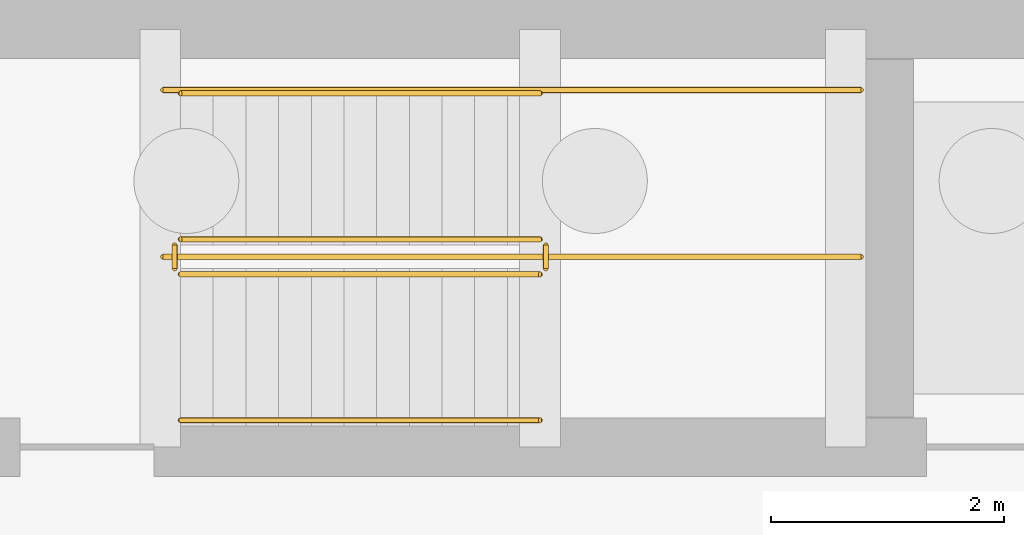
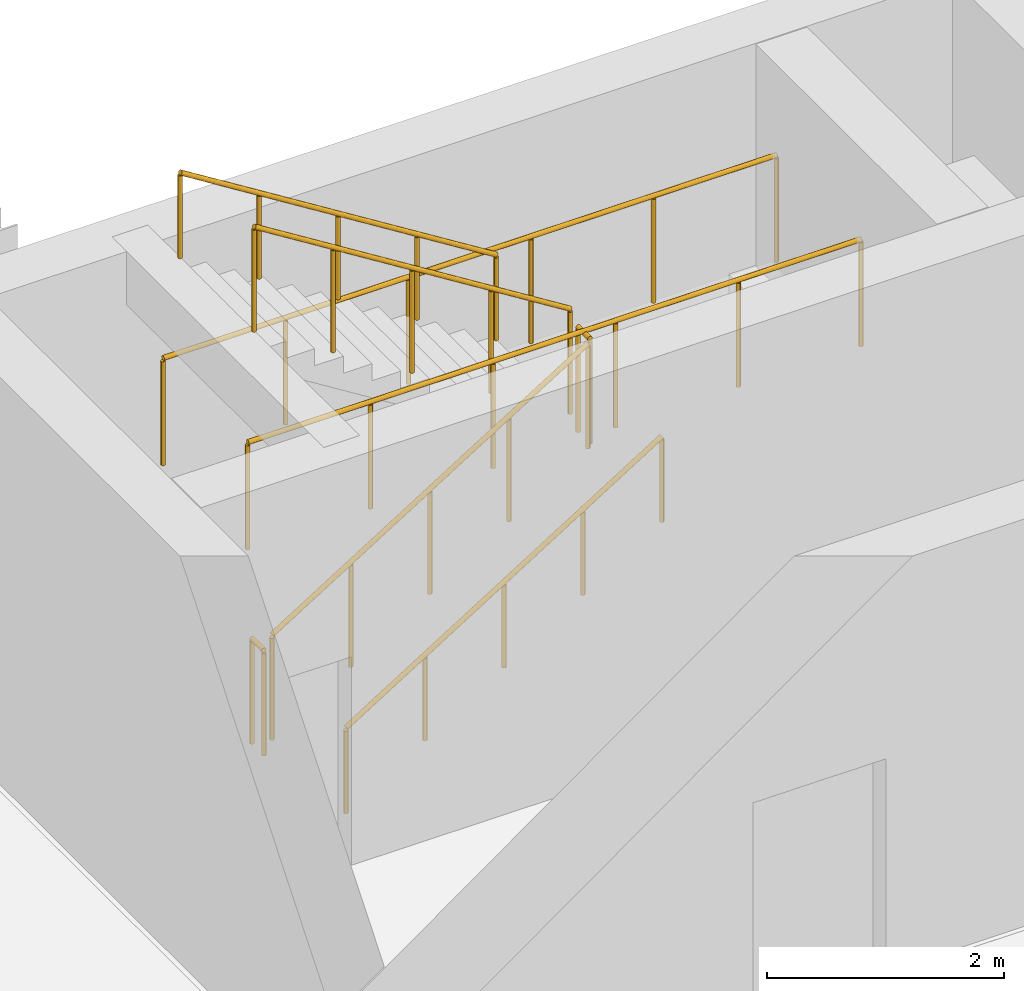
# One storey, part 29 of 33: 8 railings.
"""IFC4 building model written with IfcOpenShell, lengths in metres."""

from ifc_helpers import new_model, si_unit, direction, frame, origin, origin_2d, place, context, subcontext, project, spatial, circle, extrude, material, type_object, element, save


model = new_model("IFC4")

# Units and contexts
model_context = context("Model", 3, precision=1e-05, world=origin(), true_north=direction((0.0, 1.0)))
body_context = subcontext(model_context, "Body", "Model", "MODEL_VIEW")
ifc_project = project(units=[si_unit("LENGTHUNIT", "METRE"), si_unit("AREAUNIT", "SQUARE_METRE"), si_unit("VOLUMEUNIT", "CUBIC_METRE"), si_unit("PLANEANGLEUNIT", "RADIAN"), si_unit("MASSUNIT", "GRAM", prefix="KILO")], contexts=[model_context])

# Site, building, storey
site_placement = place(None, origin())
site = spatial("IfcSite", under=ifc_project, at=site_placement, CompositionType="ELEMENT")
building_placement = place(site_placement, origin())
building = spatial("IfcBuilding", under=site, at=building_placement, Name="Mithqara Police Headquarters", CompositionType="ELEMENT")
storey_placement = place(building_placement, frame((0.0, 0.0, -4.199951171875)))
storey = spatial("IfcBuildingStorey", under=building, at=storey_placement, Name="B1", CompositionType="ELEMENT", Elevation=-4.199951171875)

# Railings
ifc_material = material(Name="Steel S355JR", Category="steel")
railing_type_1 = type_object("IfcRailingType", Name="HANDRAIL 920", PredefinedType="HANDRAIL", material=ifc_material)
railing_1_placement = place(storey_placement, frame((81.75, 32.050048828125, 0.175048828125)))
element("IfcRailing", 1, at=railing_1_placement, inside=storey, type_object=railing_type_1, Name="B1 ST-07 stair handrail 1", PredefinedType="HANDRAIL", context=body_context, shape_type="SweptSolid", body=[
    extrude(circle(Radius=0.02392578125, at=origin_2d()), frame((0.0, 0.0, 0.8759765625), z_axis=(0.848028513186, 0.0, 0.529950602248), x_axis=(0.0, 1.0, 0.0)), (0.0, 0.0, 1.0), 3.632080078125),
    extrude(circle(Radius=0.02099609375, at=origin_2d()), origin(), (0.0, 0.0, 1.0), 0.851806640625),
    extrude(circle(Radius=0.02099609375, at=origin_2d()), frame((0.77001953125, 0.0, 0.481201171875)), (0.0, 0.0, 1.0), 0.851806640625),
    extrude(circle(Radius=0.02099609375, at=origin_2d()), frame((1.5400390625, 0.0, 0.96240234375)), (0.0, 0.0, 1.0), 0.851806640625),
    extrude(circle(Radius=0.02099609375, at=origin_2d()), frame((2.31005859375, 0.0, 1.443603515625)), (0.0, 0.0, 1.0), 0.851806640625),
    extrude(circle(Radius=0.02099609375, at=origin_2d()), frame((3.080078125, 0.0, 1.9248046875)), (0.0, 0.0, 1.0), 0.851806640625),
])
railing_2_placement = place(storey_placement, frame((84.830078125, 34.85009765625, 2.27490234375)))
element("IfcRailing", 2, at=railing_2_placement, inside=storey, type_object=railing_type_1, Name="B1 ST-07 stair handrail 2", PredefinedType="HANDRAIL", context=body_context, shape_type="SweptSolid", body=[
    extrude(circle(Radius=0.02392578125, at=origin_2d()), frame((0.0, 0.0, 0.8759765625), z_axis=(-0.847998304005, 0.0, 0.529998940003), x_axis=(0.0, -1.0, 0.0)), (0.0, 0.0, 1.0), 3.632080078125),
    extrude(circle(Radius=0.02099609375, at=origin_2d()), origin(), (0.0, 0.0, 1.0), 0.851806640625),
    extrude(circle(Radius=0.02099609375, at=origin_2d()), frame((-0.77001953125, 0.0, 0.481201171875)), (0.0, 0.0, 1.0), 0.851806640625),
    extrude(circle(Radius=0.02099609375, at=origin_2d()), frame((-1.5400390625, 0.0, 0.96240234375)), (0.0, 0.0, 1.0), 0.851806640625),
    extrude(circle(Radius=0.02099609375, at=origin_2d()), frame((-2.31005859375, 0.0, 1.44384765625)), (0.0, 0.0, 1.0), 0.851806640625),
    extrude(circle(Radius=0.02099609375, at=origin_2d()), frame((-3.080078125, 0.0, 1.925048828125)), (0.0, 0.0, 1.0), 0.851806640625),
])
railing_type_2 = type_object("IfcRailingType", Name="STAIR GUARD 1120", PredefinedType="GUARDRAIL", material=ifc_material)
railing_3_placement = place(storey_placement, frame((81.75, 33.300048828125, 0.175048828125)))
element("IfcRailing", 3, at=railing_3_placement, inside=storey, type_object=railing_type_2, Name="B1 ST-07 stair guard 1", PredefinedType="GUARDRAIL", context=body_context, shape_type="SweptSolid", body=[
    extrude(circle(Radius=0.02392578125, at=origin_2d()), frame((0.0, 0.0, 1.076171875), z_axis=(0.848028513186, 0.0, 0.529950602248), x_axis=(0.0, 1.0, 0.0)), (0.0, 0.0, 1.0), 3.632080078125),
    extrude(circle(Radius=0.02099609375, at=origin_2d()), origin(), (0.0, 0.0, 1.0), 1.052001953125),
    extrude(circle(Radius=0.02099609375, at=origin_2d()), frame((0.77001953125, 0.0, 0.481201171875)), (0.0, 0.0, 1.0), 1.052001953125),
    extrude(circle(Radius=0.02099609375, at=origin_2d()), frame((1.5400390625, 0.0, 0.96240234375)), (0.0, 0.0, 1.0), 1.052001953125),
    extrude(circle(Radius=0.02099609375, at=origin_2d()), frame((2.31005859375, 0.0, 1.443603515625)), (0.0, 0.0, 1.0), 1.052001953125),
    extrude(circle(Radius=0.02099609375, at=origin_2d()), frame((3.080078125, 0.0, 1.9248046875)), (0.0, 0.0, 1.0), 1.052001953125),
])
railing_4_placement = place(storey_placement, frame((84.8798828125, 33.35009765625, 2.099853515625)))
element("IfcRailing", 4, at=railing_4_placement, inside=storey, type_object=railing_type_2, Name="B1 ST-07 stair guard 2", PredefinedType="GUARDRAIL", context=body_context, shape_type="SweptSolid", body=[
    extrude(circle(Radius=0.02392578125, at=origin_2d()), frame((0.0, 0.0, 1.076171875), z_axis=(0.0, 1.0, 0.0), x_axis=(-1.0, 0.0, 0.0)), (0.0, 0.0, 1.0), 0.199951171875),
    extrude(circle(Radius=0.02099609375, at=origin_2d()), origin(), (0.0, 0.0, 1.0), 1.052001953125),
    extrude(circle(Radius=0.02099609375, at=origin_2d()), frame((0.0, 0.199951171875, 0.0)), (0.0, 0.0, 1.0), 1.052001953125),
])
railing_5_placement = place(storey_placement, frame((84.830078125, 33.60009765625, 2.27490234375)))
element("IfcRailing", 5, at=railing_5_placement, inside=storey, type_object=railing_type_2, Name="B1 ST-07 stair guard 3", PredefinedType="GUARDRAIL", context=body_context, shape_type="SweptSolid", body=[
    extrude(circle(Radius=0.02392578125, at=origin_2d()), frame((0.0, 0.0, 1.076171875), z_axis=(-0.847998304005, 0.0, 0.529998940003), x_axis=(0.0, -1.0, 0.0)), (0.0, 0.0, 1.0), 3.632080078125),
    extrude(circle(Radius=0.02099609375, at=origin_2d()), origin(), (0.0, 0.0, 1.0), 1.052001953125),
    extrude(circle(Radius=0.02099609375, at=origin_2d()), frame((-0.77001953125, 0.0, 0.481201171875)), (0.0, 0.0, 1.0), 1.052001953125),
    extrude(circle(Radius=0.02099609375, at=origin_2d()), frame((-1.5400390625, 0.0, 0.96240234375)), (0.0, 0.0, 1.0), 1.052001953125),
    extrude(circle(Radius=0.02099609375, at=origin_2d()), frame((-2.31005859375, 0.0, 1.44384765625)), (0.0, 0.0, 1.0), 1.052001953125),
    extrude(circle(Radius=0.02099609375, at=origin_2d()), frame((-3.080078125, 0.0, 1.925048828125)), (0.0, 0.0, 1.0), 1.052001953125),
])
railing_6_placement = place(storey_placement, frame((81.699951171875, 33.35009765625, 0.0)))
element("IfcRailing", 6, at=railing_6_placement, inside=storey, type_object=railing_type_2, Name="B1 ST-07 stair guard 4", PredefinedType="GUARDRAIL", context=body_context, shape_type="SweptSolid", body=[
    extrude(circle(Radius=0.02392578125, at=origin_2d()), frame((0.0, 0.0, 1.076171875), z_axis=(0.0, 1.0, 0.0), x_axis=(-1.0, 0.0, 0.0)), (0.0, 0.0, 1.0), 0.199951171875),
    extrude(circle(Radius=0.02099609375, at=origin_2d()), origin(), (0.0, 0.0, 1.0), 1.052001953125),
    extrude(circle(Radius=0.02099609375, at=origin_2d()), frame((0.0, 0.199951171875, 0.0)), (0.0, 0.0, 1.0), 1.052001953125),
])
for number, where, name in (
    (7, (81.60009765625, 33.449951171875, 2.099853515625), "B1 ST-07 Half-Landing Guard IN"),
    (8, (81.60009765625, 34.8798828125, 2.099853515625), "B1 ST-07 Half-Landing Guard OUT"),
):
    element("IfcRailing", number, at=place(storey_placement, frame(where)), inside=storey, type_object=railing_type_2, Name=name, PredefinedType="GUARDRAIL", context=body_context, shape_type="SweptSolid", body=[
        extrude(circle(Radius=0.02392578125, at=origin_2d()), frame((0.0, 0.0, 1.09619140625), z_axis=(1.0, 0.0, 0.0), x_axis=(0.0, 1.0, 0.0)), (0.0, 0.0, 1.0), 5.97998046875),
        extrude(circle(Radius=0.02099609375, at=origin_2d()), origin(), (0.0, 0.0, 1.0), 1.072021484375),
        extrude(circle(Radius=0.02099609375, at=origin_2d()), frame((1.196044921875, 0.0, 0.0)), (0.0, 0.0, 1.0), 1.072021484375),
        extrude(circle(Radius=0.02099609375, at=origin_2d()), frame((2.39208984375, 0.0, 0.0)), (0.0, 0.0, 1.0), 1.072021484375),
        extrude(circle(Radius=0.02099609375, at=origin_2d()), frame((3.587890625, 0.0, 0.0)), (0.0, 0.0, 1.0), 1.072021484375),
        extrude(circle(Radius=0.02099609375, at=origin_2d()), frame((4.783935546875, 0.0, 0.0)), (0.0, 0.0, 1.0), 1.072021484375),
        extrude(circle(Radius=0.02099609375, at=origin_2d()), frame((5.97998046875, 0.0, 0.0)), (0.0, 0.0, 1.0), 1.072021484375),
    ])

save(model, "model.ifc")
